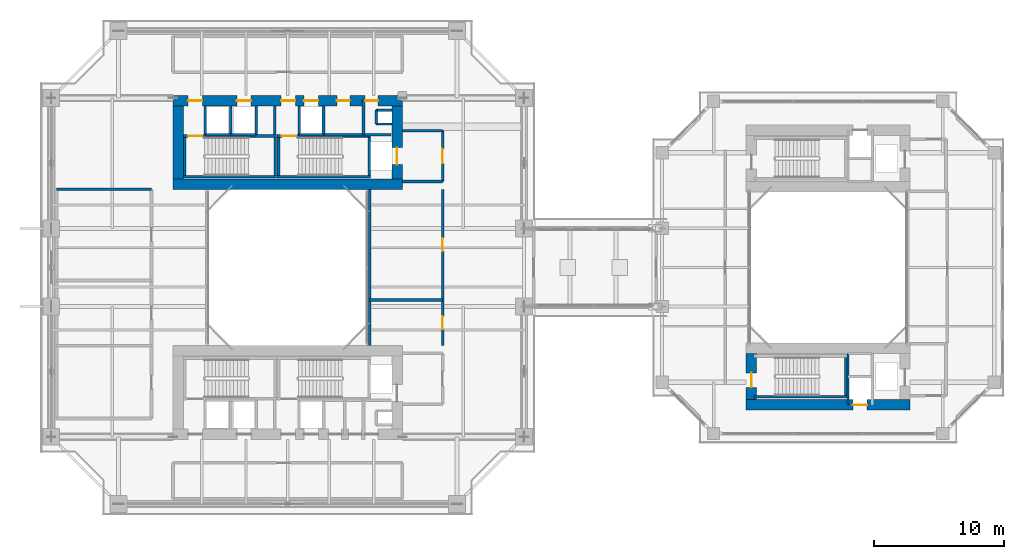
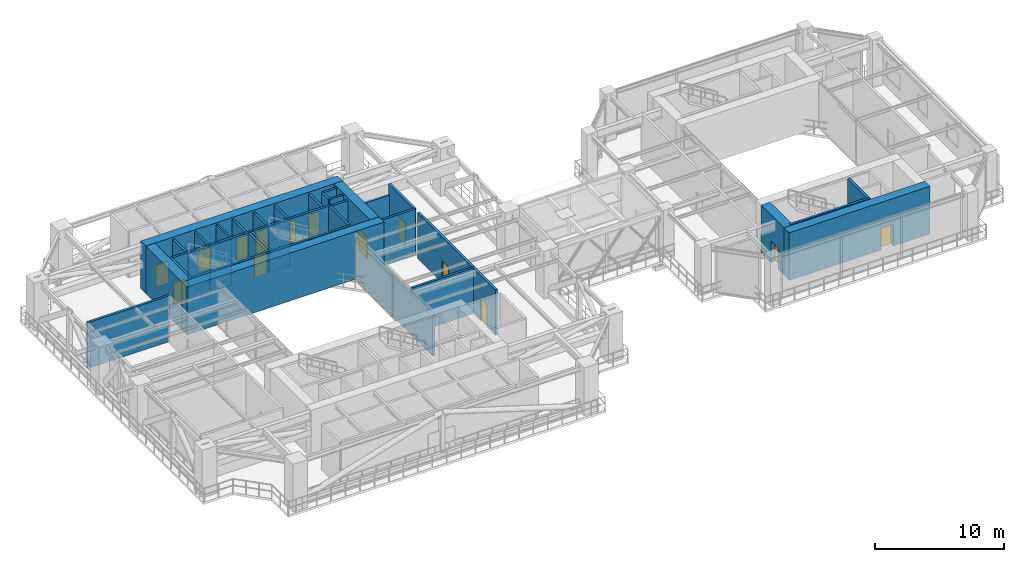
# One storey, part 18 of 26: 38 walls, 14 doors, 14 openings.
"""IFC4 building model written with IfcOpenShell, lengths in metres."""

from ifc_helpers import new_model, si_unit, direction, frame, frame_2d, origin, place, context, subcontext, project, spatial, rectangle, extrude, source, transform, mapped, material, layer, layer_set, type_object, element, fill, save


model = new_model("IFC4")

# Units and contexts
model_context = context("Model", 3, precision=1e-05, world=origin(), true_north=direction((0.0, 1.0)))
body_context = subcontext(model_context, "Body", "Model", "MODEL_VIEW")
ifc_project = project(units=[si_unit("LENGTHUNIT", "METRE"), si_unit("AREAUNIT", "SQUARE_METRE"), si_unit("VOLUMEUNIT", "CUBIC_METRE"), si_unit("PLANEANGLEUNIT", "RADIAN"), si_unit("MASSUNIT", "GRAM", prefix="KILO"), si_unit("THERMODYNAMICTEMPERATUREUNIT", "KELVIN"), si_unit("POWERUNIT", "WATT")], contexts=[model_context])

# Site, building, storey
site_placement = place(None, origin())
site = spatial("IfcSite", under=ifc_project, at=site_placement, CompositionType="ELEMENT")
building_placement = place(site_placement, origin())
building = spatial("IfcBuilding", under=site, at=building_placement, Name="Qiaomeng Ring Towers", CompositionType="ELEMENT")
storey_placement = place(building_placement, frame((0.0, 0.0, 45.75)))
storey = spatial("IfcBuildingStorey", under=building, at=storey_placement, Name="L12", CompositionType="ELEMENT", Elevation=45.75)

# Walls
ifc_material_1 = material(Name="Autoclaved aerated concrete block", Category="concrete")
ifc_layer_1 = layer(ifc_material_1, 0.199951171875, Name="Autoclaved aerated concrete block")
ifc_layer_set_1 = layer_set([ifc_layer_1], Name="Autoclaved aerated concrete block")
wall_type_1 = type_object("IfcWallType", Name="ARC-WL-PW1", PredefinedType="PARTITIONING", material=ifc_layer_set_1)
wall_1_placement = place(storey_placement, frame((27.800048828125, 29.60009765625, 0.0), z_axis=(0.0, 0.0, 1.0), x_axis=(1.0, 0.0, 0.0)))
element("IfcWall", 1, at=wall_1_placement, inside=storey, type_object=wall_type_1, Name="L12 Interior Wall PW1", PredefinedType="PARTITIONING", context=body_context, shape_type="SweptSolid", body=[
    extrude(rectangle(XDim=3.099853515625, YDim=0.199951171875, at=frame_2d((1.5498046875, 0.0))), origin(), (0.0, 0.0, 1.0), 4.320068359375),
])
wall_2_placement = place(storey_placement, frame((27.800048828125, 33.5, 0.0), z_axis=(0.0, 0.0, 1.0), x_axis=(1.0, 0.0, 0.0)))
element("IfcWall", 2, at=wall_2_placement, inside=storey, type_object=wall_type_1, Name="L12 Interior Wall PW1", PredefinedType="PARTITIONING", context=body_context, shape_type="SweptSolid", body=[
    extrude(rectangle(XDim=3.099853515625, YDim=0.199951171875, at=frame_2d((1.5498046875, 0.0))), origin(), (0.0, 0.0, 1.0), 3.31494140625),
])

# Wall, opening, door
wall_3_placement = place(storey_placement, frame((30.89990234375, 29.60009765625, 0.0), z_axis=(0.0, 0.0, 1.0), x_axis=(0.0, 1.0, 0.0)))
wall_3 = element("IfcWall", 3, at=wall_3_placement, inside=storey, type_object=wall_type_1, Name="L12 Interior Wall PW1", PredefinedType="PARTITIONING", context=body_context, shape_type="SweptSolid", body=[
    extrude(rectangle(XDim=3.89990234375, YDim=0.199951171875, at=frame_2d((1.949951171875, 0.0))), origin(), (0.0, 0.0, 1.0), 4.320068359375),
])
opening_1_placement = place(wall_3_placement, frame((1.39990234375, 0.0, 0.0)))
opening_1 = element("IfcOpeningElement", 4, at=opening_1_placement, cuts=wall_3, Name="Opening FD3", PredefinedType="OPENING", context=body_context, shape_type="SweptSolid", body=[
    extrude(rectangle(XDim=1.10009765625, YDim=2.050048828125, at=frame_2d((0.550048828125, 1.02490234375))), frame((0.0, 0.10986328125, 0.0), z_axis=(0.0, -1.0, 0.0), x_axis=(1.0, 0.0, 0.0)), (0.0, 0.0, 1.0), 0.219970703125),
])
ifc_material_2 = material(Name="Galvanised steel", Category="steel")
door_type_1 = type_object("IfcDoorType", Name="ARC-DR-FD3", OperationType="NOTDEFINED", PredefinedType="DOOR", material=ifc_material_2)
shared_shape_1 = source(origin(), body_context, "Body", "SweptSolid", [
    extrude(rectangle(XDim=1.10009765625, YDim=2.050048828125, at=frame_2d((0.550048828125, 1.02490234375))), frame((0.0, 0.02490234375, 0.0), z_axis=(0.0, -1.0, 0.0), x_axis=(1.0, 0.0, 0.0)), (0.0, 0.0, 1.0), 0.050048828125),
])
door_1_placement = place(opening_1_placement, origin())
door_1 = element("IfcDoor", 5, at=door_1_placement, inside=storey, type_object=door_type_1, Name="L12 North FF Lobby Door", OperationType="SINGLE_SWING_RIGHT", OverallHeight=2.050048828125, OverallWidth=1.10009765625, PredefinedType="DOOR", context=body_context, shape_type="MappedRepresentation", body=[
    mapped(shared_shape_1, transform((0.0, 0.0, 0.0), x_axis=(1.0, 0.0, 0.0), y_axis=(0.0, 1.0, 0.0), z_axis=(0.0, 0.0, 1.0), scale=1.0)),
])
fill(opening_1, door_1)

# Walls
for number, where, z_axis, x_axis, name in (
    (6, (12.679931640625, 33.18994140625, 0.0), (0.0, 0.0, 1.0), (0.0, 1.0, 0.0), "L12 Interior Wall PW1"),
    (7, (18.0, 33.18994140625, 0.0), (0.0, 0.0, 1.0), (0.0, 1.0, 0.0), "L12 Interior Wall PW1"),
    (8, (19.8798828125, 33.18994140625, 0.0), (0.0, 0.0, 1.0), (0.0, 1.0, 0.0), "L12 Interior Wall PW1"),
):
    element("IfcWall", number, at=place(storey_placement, frame(where, z_axis=z_axis, x_axis=x_axis)), inside=storey, type_object=wall_type_1, Name=name, PredefinedType="PARTITIONING", context=body_context, shape_type="SweptSolid", body=[
        extrude(rectangle(XDim=2.2099609375, YDim=0.199951171875, at=frame_2d((1.10498046875, 0.0))), origin(), (0.0, 0.0, 1.0), 4.320068359375),
    ])
wall_4_placement = place(storey_placement, frame((24.820068359375, 33.199951171875, 0.0), z_axis=(0.0, 0.0, 1.0), x_axis=(0.0, 1.0, 0.0)))
element("IfcWall", 9, at=wall_4_placement, inside=storey, type_object=wall_type_1, Name="L12 Interior Wall PW1", PredefinedType="PARTITIONING", context=body_context, shape_type="SweptSolid", body=[
    extrude(rectangle(XDim=2.650146484375, YDim=0.199951171875, at=frame_2d((1.3251953125, 0.0))), origin(), (0.0, 0.0, 1.0), 4.320068359375),
])
wall_5_placement = place(storey_placement, frame((21.75, 33.199951171875, 0.0), z_axis=(0.0, 0.0, 1.0), x_axis=(0.0, 1.0, 0.0)))
element("IfcWall", 10, at=wall_5_placement, inside=storey, type_object=wall_type_1, Name="L12 Interior Wall PW1", PredefinedType="PARTITIONING", context=body_context, shape_type="SweptSolid", body=[
    extrude(rectangle(XDim=2.199951171875, YDim=0.199951171875, at=frame_2d((1.10009765625, 0.0))), origin(), (0.0, 0.0, 1.0), 4.320068359375),
])
wall_6_placement = place(storey_placement, frame((21.75, 33.199951171875, 0.0), z_axis=(0.0, 0.0, 1.0), x_axis=(1.0, 0.0, 0.0)))
element("IfcWall", 11, at=wall_6_placement, inside=storey, type_object=wall_type_1, Name="L12 Interior Wall PW1", PredefinedType="PARTITIONING", context=body_context, shape_type="SweptSolid", body=[
    extrude(rectangle(XDim=5.169921875, YDim=0.199951171875, at=frame_2d((2.5849609375, 0.0))), origin(), (0.0, 0.0, 1.0), 4.320068359375),
])
wall_7_placement = place(storey_placement, frame((1.25, 29.0, 0.0), z_axis=(0.0, 0.0, 1.0), x_axis=(1.0, 0.0, 0.0)))
element("IfcWall", 12, at=wall_7_placement, inside=storey, type_object=wall_type_1, Name="L12 Interior Wall PW1", PredefinedType="PARTITIONING", context=body_context, shape_type="SweptSolid", body=[
    extrude(rectangle(XDim=7.300048828125, YDim=0.199951171875, at=frame_2d((3.64990234375, 0.0))), origin(), (0.0, 0.0, 1.0), 4.320068359375),
])
wall_8_placement = place(storey_placement, frame((25.300048828125, 17.0, 0.0), z_axis=(0.0, 0.0, 1.0), x_axis=(0.0, 1.0, 0.0)))
element("IfcWall", 13, at=wall_8_placement, inside=storey, type_object=wall_type_1, Name="L12 Interior Wall PW1", PredefinedType="PARTITIONING", context=body_context, shape_type="SweptSolid", body=[
    extrude(rectangle(XDim=12.0, YDim=0.199951171875, at=frame_2d((6.0, 0.0))), origin(), (0.0, 0.0, 1.0), 3.81494140625),
])
wall_9_placement = place(storey_placement, frame((25.300048828125, 20.5, 0.0), z_axis=(0.0, 0.0, 1.0), x_axis=(1.0, 0.0, 0.0)))
element("IfcWall", 14, at=wall_9_placement, inside=storey, type_object=wall_type_1, Name="L12 Interior Wall PW1", PredefinedType="PARTITIONING", context=body_context, shape_type="SweptSolid", body=[
    extrude(rectangle(XDim=5.599853515625, YDim=0.199951171875, at=frame_2d((2.7998046875, 0.0))), origin(), (0.0, 0.0, 1.0), 4.320068359375),
])

# Wall, openings, doors
wall_10_placement = place(storey_placement, frame((30.89990234375, 17.0, 0.0), z_axis=(0.0, 0.0, 1.0), x_axis=(0.0, 1.0, 0.0)))
wall_10 = element("IfcWall", 15, at=wall_10_placement, inside=storey, type_object=wall_type_1, Name="L12 Interior Wall PW1", PredefinedType="PARTITIONING", context=body_context, shape_type="SweptSolid", body=[
    extrude(rectangle(XDim=12.0, YDim=0.199951171875, at=frame_2d((6.0, 0.0))), origin(), (0.0, 0.0, 1.0), 4.320068359375),
])
opening_2_placement = place(wall_10_placement, frame((1.25, 0.0, 0.0)))
opening_2 = element("IfcOpeningElement", 16, at=opening_2_placement, cuts=wall_10, Name="Opening FD1", PredefinedType="OPENING", context=body_context, shape_type="SweptSolid", body=[
    extrude(rectangle(XDim=1.0, YDim=2.050048828125, at=frame_2d((0.5, 1.02490234375))), frame((0.0, 0.10986328125, 0.0), z_axis=(0.0, -1.0, 0.0), x_axis=(1.0, 0.0, 0.0)), (0.0, 0.0, 1.0), 0.219970703125),
])
opening_3_placement = place(wall_10_placement, frame((7.25, 0.0, 0.0)))
opening_3 = element("IfcOpeningElement", 17, at=opening_3_placement, cuts=wall_10, Name="Opening FD1", PredefinedType="OPENING", context=body_context, shape_type="SweptSolid", body=[
    extrude(rectangle(XDim=1.0, YDim=2.050048828125, at=frame_2d((0.5, 1.02490234375))), frame((0.0, 0.10986328125, 0.0), z_axis=(0.0, -1.0, 0.0), x_axis=(1.0, 0.0, 0.0)), (0.0, 0.0, 1.0), 0.219970703125),
])
door_type_2 = type_object("IfcDoorType", Name="ARC-DR-FD1", OperationType="NOTDEFINED", PredefinedType="DOOR", material=ifc_material_2)
shared_shape_2 = source(origin(), body_context, "Body", "SweptSolid", [
    extrude(rectangle(XDim=1.0, YDim=2.050048828125, at=frame_2d((0.5, 1.02490234375))), frame((0.0, 0.02490234375, 0.0), z_axis=(0.0, -1.0, 0.0), x_axis=(1.0, 0.0, 0.0)), (0.0, 0.0, 1.0), 0.050048828125),
])
door_2_placement = place(opening_2_placement, origin())
door_2 = element("IfcDoor", 18, at=door_2_placement, inside=storey, type_object=door_type_2, Name="L12 Door FD1", OperationType="SINGLE_SWING_RIGHT", OverallHeight=2.050048828125, OverallWidth=1.0, PredefinedType="DOOR", context=body_context, shape_type="MappedRepresentation", body=[
    mapped(shared_shape_2, transform((0.0, 0.0, 0.0), x_axis=(1.0, 0.0, 0.0), y_axis=(0.0, 1.0, 0.0), z_axis=(0.0, 0.0, 1.0), scale=1.0)),
])
fill(opening_2, door_2)
door_3_placement = place(opening_3_placement, origin())
door_3 = element("IfcDoor", 19, at=door_3_placement, inside=storey, type_object=door_type_2, Name="L12 Door FD1", OperationType="SINGLE_SWING_LEFT", OverallHeight=2.050048828125, OverallWidth=1.0, PredefinedType="DOOR", context=body_context, shape_type="MappedRepresentation", body=[
    mapped(shared_shape_2, transform((0.0, 0.0, 0.0), x_axis=(1.0, 0.0, 0.0), y_axis=(0.0, 1.0, 0.0), z_axis=(0.0, 0.0, 1.0), scale=1.0)),
])
fill(opening_3, door_3)

# Walls
ifc_material_3 = material(Name="Concrete C40", Category="concrete")
ifc_layer_2 = layer(ifc_material_3, 0.199951171875, Name="Concrete C40")
ifc_layer_set_2 = layer_set([ifc_layer_2], Name="Concrete C40")
wall_type_2 = type_object("IfcWallType", Name="STR-WL-STSHAFT", PredefinedType="SHEAR", material=ifc_layer_set_2)
wall_11_placement = place(storey_placement, frame((12.679931640625, 33.199951171875, 0.0), z_axis=(0.0, 0.0, 1.0), x_axis=(1.0, 0.0, 0.0)))
element("IfcWall", 20, at=wall_11_placement, inside=storey, type_object=wall_type_2, Name="L12 Lift LP5 Shaft Back Wall", PredefinedType="SHEAR", context=body_context, shape_type="SweptSolid", body=[
    extrude(rectangle(XDim=1.940185546875, YDim=0.179931640625, at=frame_2d((0.97021484375, 0.0))), origin(), (0.0, 0.0, 1.0), 4.320068359375),
])
wall_12_placement = place(storey_placement, frame((14.6201171875, 33.199951171875, 0.0), z_axis=(0.0, 0.0, 1.0), x_axis=(0.0, 1.0, 0.0)))
element("IfcWall", 21, at=wall_12_placement, inside=storey, type_object=wall_type_2, Name="L12 Lift LP5-LP3 Shaft Divider Wall", PredefinedType="SHEAR", context=body_context, shape_type="SweptSolid", body=[
    extrude(rectangle(XDim=2.199951171875, YDim=0.179931640625, at=frame_2d((1.10009765625, 0.0))), origin(), (0.0, 0.0, 1.0), 4.320068359375),
])
wall_13_placement = place(storey_placement, frame((25.800048828125, 34.02001953125, 0.0), z_axis=(0.0, 0.0, 1.0), x_axis=(0.0, 1.0, 0.0)))
element("IfcWall", 22, at=wall_13_placement, inside=storey, type_object=wall_type_2, Name="L12 Riser RSR1 West Shaft Wall N", PredefinedType="SHEAR", context=body_context, shape_type="SweptSolid", body=[
    extrude(rectangle(XDim=1.06005859375, YDim=0.179931640625, at=frame_2d((0.530029296875, 0.0))), origin(), (0.0, 0.0, 1.0), 4.320068359375),
])
for number, where, z_axis, x_axis, name in (
    (23, (25.800048828125, 35.080078125, 0.0), (0.0, 0.0, 1.0), (1.0, 0.0, 0.0), "L12 Riser RSR1 North Shaft Wall N"),
    (24, (25.800048828125, 34.02001953125, 0.0), (0.0, 0.0, 1.0), (1.0, 0.0, 0.0), "L12 Riser RSR1 South Shaft Wall N"),
):
    element("IfcWall", number, at=place(storey_placement, frame(where, z_axis=z_axis, x_axis=x_axis)), inside=storey, type_object=wall_type_2, Name=name, PredefinedType="SHEAR", context=body_context, shape_type="SweptSolid", body=[
        extrude(rectangle(XDim=1.199951171875, YDim=0.179931640625, at=frame_2d((0.60009765625, 0.0))), origin(), (0.0, 0.0, 1.0), 4.320068359375),
    ])
wall_14_placement = place(storey_placement, frame((14.6201171875, 33.199951171875, 0.0), z_axis=(0.0, 0.0, 1.0), x_axis=(1.0, 0.0, 0.0)))
element("IfcWall", 25, at=wall_14_placement, inside=storey, type_object=wall_type_2, Name="L12 Lift LP3 Shaft Back Wall", PredefinedType="SHEAR", context=body_context, shape_type="SweptSolid", body=[
    extrude(rectangle(XDim=1.9599609375, YDim=0.179931640625, at=frame_2d((0.97998046875, 0.0))), origin(), (0.0, 0.0, 1.0), 4.320068359375),
])
wall_15_placement = place(storey_placement, frame((16.580078125, 33.199951171875, 0.0), z_axis=(0.0, 0.0, 1.0), x_axis=(0.0, 1.0, 0.0)))
element("IfcWall", 26, at=wall_15_placement, inside=storey, type_object=wall_type_2, Name="L12 Lift LP3 East Shaft Wall", PredefinedType="SHEAR", context=body_context, shape_type="SweptSolid", body=[
    extrude(rectangle(XDim=2.199951171875, YDim=0.179931640625, at=frame_2d((1.10009765625, 0.0))), origin(), (0.0, 0.0, 1.0), 4.320068359375),
])
wall_16_placement = place(storey_placement, frame((19.8798828125, 33.199951171875, 0.0), z_axis=(0.0, 0.0, 1.0), x_axis=(1.0, 0.0, 0.0)))
element("IfcWall", 27, at=wall_16_placement, inside=storey, type_object=wall_type_2, Name="L12 Lift LP1 Shaft Back Wall", PredefinedType="SHEAR", context=body_context, shape_type="SweptSolid", body=[
    extrude(rectangle(XDim=1.8701171875, YDim=0.179931640625, at=frame_2d((0.93505859375, 0.0))), origin(), (0.0, 0.0, 1.0), 4.320068359375),
])
wall_17_placement = place(storey_placement, frame((62.02001953125, 12.449951171875, 0.0), z_axis=(0.0, 0.0, 1.0), x_axis=(0.0, 1.0, 0.0)))
element("IfcWall", 28, at=wall_17_placement, inside=storey, type_object=wall_type_2, Name="L12 Companion Lift Shaft West Wall S", PredefinedType="SHEAR", context=body_context, shape_type="SweptSolid", body=[
    extrude(rectangle(XDim=3.949951171875, YDim=0.179931640625, at=frame_2d((1.97509765625, 0.0))), origin(), (0.0, 0.0, 1.0), 4.320068359375),
])
wall_18_placement = place(storey_placement, frame((11.0, 29.949951171875, 0.0), z_axis=(0.0, 0.0, 1.0), x_axis=(1.0, 0.0, 0.0)))
element("IfcWall", 29, at=wall_18_placement, inside=storey, type_object=wall_type_2, Name="L12 Stair ST1 South Shaft Shear Wall", PredefinedType="SHEAR", context=body_context, shape_type="SweptSolid", body=[
    extrude(rectangle(XDim=7.14990234375, YDim=0.199951171875, at=frame_2d((3.574951171875, 0.0))), origin(), (0.0, 0.0, 1.0), 4.5),
])

# Wall, opening, door
wall_19_placement = place(storey_placement, frame((11.0, 33.090087890625, 0.0), z_axis=(0.0, 0.0, 1.0), x_axis=(1.0, 0.0, 0.0)))
wall_19 = element("IfcWall", 30, at=wall_19_placement, inside=storey, type_object=wall_type_2, Name="L12 Stair ST1 North Shaft Shear Wall", PredefinedType="SHEAR", context=body_context, shape_type="SweptSolid", body=[
    extrude(rectangle(XDim=7.14990234375, YDim=0.199951171875, at=frame_2d((3.574951171875, 0.0))), origin(), (0.0, 0.0, 1.0), 4.5),
])
opening_4_placement = place(wall_19_placement, frame((0.35009765625, 0.0, 0.0)))
opening_4 = element("IfcOpeningElement", 31, at=opening_4_placement, cuts=wall_19, Name="Opening FD3", PredefinedType="OPENING", context=body_context, shape_type="SweptSolid", body=[
    extrude(rectangle(XDim=1.10009765625, YDim=2.050048828125, at=frame_2d((0.550048828125, 1.02490234375))), frame((0.0, 0.10986328125, 0.0), z_axis=(0.0, -1.0, 0.0), x_axis=(1.0, 0.0, 0.0)), (0.0, 0.0, 1.0), 0.219970703125),
])
door_4_placement = place(opening_4_placement, origin())
door_4 = element("IfcDoor", 32, at=door_4_placement, inside=storey, type_object=door_type_1, Name="L12 Stair ST1 Exit Door", OperationType="SINGLE_SWING_LEFT", OverallHeight=2.050048828125, OverallWidth=1.10009765625, PredefinedType="DOOR", context=body_context, shape_type="MappedRepresentation", body=[
    mapped(shared_shape_1, transform((0.0, 0.0, 0.0), x_axis=(1.0, 0.0, 0.0), y_axis=(0.0, 1.0, 0.0), z_axis=(0.0, 0.0, 1.0), scale=1.0)),
])
fill(opening_4, door_4)

# Walls
for number, where, z_axis, x_axis, name in (
    (33, (11.10009765625, 30.050048828125, 0.0), (0.0, 0.0, 1.0), (0.0, 1.0, 0.0), "L12 Stair ST1 West Shaft Shear Wall"),
    (34, (18.050048828125, 30.050048828125, 0.0), (0.0, 0.0, 1.0), (0.0, 1.0, 0.0), "L12 Stair ST1 East Shaft Shear Wall"),
):
    element("IfcWall", number, at=place(storey_placement, frame(where, z_axis=z_axis, x_axis=x_axis)), inside=storey, type_object=wall_type_2, Name=name, PredefinedType="SHEAR", context=body_context, shape_type="SweptSolid", body=[
        extrude(rectangle(XDim=2.93994140625, YDim=0.199951171875, at=frame_2d((1.469970703125, 0.0))), origin(), (0.0, 0.0, 1.0), 4.5),
    ])
wall_20_placement = place(storey_placement, frame((18.199951171875, 29.949951171875, 0.0), z_axis=(0.0, 0.0, 1.0), x_axis=(1.0, 0.0, 0.0)))
element("IfcWall", 35, at=wall_20_placement, inside=storey, type_object=wall_type_2, Name="L12 Stair ST2 South Shaft Shear Wall", PredefinedType="SHEAR", context=body_context, shape_type="SweptSolid", body=[
    extrude(rectangle(XDim=7.150146484375, YDim=0.199951171875, at=frame_2d((3.5751953125, 0.0))), origin(), (0.0, 0.0, 1.0), 4.5),
])

# Wall, opening, door
wall_21_placement = place(storey_placement, frame((18.199951171875, 33.090087890625, 0.0), z_axis=(0.0, 0.0, 1.0), x_axis=(1.0, 0.0, 0.0)))
wall_21 = element("IfcWall", 36, at=wall_21_placement, inside=storey, type_object=wall_type_2, Name="L12 Stair ST2 North Shaft Shear Wall", PredefinedType="SHEAR", context=body_context, shape_type="SweptSolid", body=[
    extrude(rectangle(XDim=7.150146484375, YDim=0.199951171875, at=frame_2d((3.5751953125, 0.0))), origin(), (0.0, 0.0, 1.0), 4.5),
])
opening_5_placement = place(wall_21_placement, frame((0.35009765625, 0.0, 0.0)))
opening_5 = element("IfcOpeningElement", 37, at=opening_5_placement, cuts=wall_21, Name="Opening FD3", PredefinedType="OPENING", context=body_context, shape_type="SweptSolid", body=[
    extrude(rectangle(XDim=1.10009765625, YDim=2.050048828125, at=frame_2d((0.550048828125, 1.02490234375))), frame((0.0, 0.10986328125, 0.0), z_axis=(0.0, -1.0, 0.0), x_axis=(1.0, 0.0, 0.0)), (0.0, 0.0, 1.0), 0.219970703125),
])
door_5_placement = place(opening_5_placement, origin())
door_5 = element("IfcDoor", 38, at=door_5_placement, inside=storey, type_object=door_type_1, Name="L12 Stair ST2 Exit Door", OperationType="SINGLE_SWING_LEFT", OverallHeight=2.050048828125, OverallWidth=1.10009765625, PredefinedType="DOOR", context=body_context, shape_type="MappedRepresentation", body=[
    mapped(shared_shape_1, transform((0.0, 0.0, 0.0), x_axis=(1.0, 0.0, 0.0), y_axis=(0.0, 1.0, 0.0), z_axis=(0.0, 0.0, 1.0), scale=1.0)),
])
fill(opening_5, door_5)

# Walls
for number, where, z_axis, x_axis, name in (
    (39, (18.300048828125, 30.050048828125, 0.0), (0.0, 0.0, 1.0), (0.0, 1.0, 0.0), "L12 Stair ST2 West Shaft Shear Wall"),
    (40, (25.25, 30.050048828125, 0.0), (0.0, 0.0, 1.0), (0.0, 1.0, 0.0), "L12 Stair ST2 East Shaft Shear Wall"),
):
    element("IfcWall", number, at=place(storey_placement, frame(where, z_axis=z_axis, x_axis=x_axis)), inside=storey, type_object=wall_type_2, Name=name, PredefinedType="SHEAR", context=body_context, shape_type="SweptSolid", body=[
        extrude(rectangle(XDim=2.93994140625, YDim=0.199951171875, at=frame_2d((1.469970703125, 0.0))), origin(), (0.0, 0.0, 1.0), 4.5),
    ])
wall_22_placement = place(storey_placement, frame((54.800048828125, 13.06005859375, 0.0), z_axis=(0.0, 0.0, 1.0), x_axis=(1.0, 0.0, 0.0)))
element("IfcWall", 41, at=wall_22_placement, inside=storey, type_object=wall_type_2, Name="L12 Stair ST6 South Shaft Shear Wall", PredefinedType="SHEAR", context=body_context, shape_type="SweptSolid", body=[
    extrude(rectangle(XDim=7.14990234375, YDim=0.199951171875, at=frame_2d((3.574951171875, 0.0))), origin(), (0.0, 0.0, 1.0), 4.5),
])
wall_23_placement = place(storey_placement, frame((61.85009765625, 13.159912109375, 0.0), z_axis=(0.0, 0.0, 1.0), x_axis=(0.0, 1.0, 0.0)))
element("IfcWall", 42, at=wall_23_placement, inside=storey, type_object=wall_type_2, Name="L12 Stair ST6 East Shaft Shear Wall", PredefinedType="SHEAR", context=body_context, shape_type="SweptSolid", body=[
    extrude(rectangle(XDim=2.940185546875, YDim=0.199951171875, at=frame_2d((1.47021484375, 0.0))), origin(), (0.0, 0.0, 1.0), 4.5),
])
ifc_material_4 = material(Name="Concrete C60", Category="concrete")
ifc_layer_3 = layer(ifc_material_4, 0.800048828125, Name="Concrete C60")
ifc_layer_set_3 = layer_set([ifc_layer_3], Name="Concrete C60")
wall_type_3 = type_object("IfcWallType", Name="STR-WL-SW1", PredefinedType="SHEAR", material=ifc_layer_set_3)
wall_24_placement = place(storey_placement, frame((10.199951171875, 29.39990234375, 0.0), z_axis=(0.0, 0.0, 1.0), x_axis=(1.0, 0.0, 0.0)))
element("IfcWall", 43, at=wall_24_placement, inside=storey, type_object=wall_type_3, Name="L12 T1NC south core shear wall", PredefinedType="SHEAR", context=body_context, shape_type="SweptSolid", body=[
    extrude(rectangle(XDim=17.60009765625, YDim=0.800048828125, at=frame_2d((8.800048828125, 0.0))), origin(), (0.0, 0.0, 1.0), 4.5),
])

# Wall, openings, doors
wall_25_placement = place(storey_placement, frame((10.199951171875, 35.800048828125, 0.0), z_axis=(0.0, 0.0, 1.0), x_axis=(1.0, 0.0, 0.0)))
wall_25 = element("IfcWall", 44, at=wall_25_placement, inside=storey, type_object=wall_type_3, Name="L12 T1NC north core shear wall", PredefinedType="SHEAR", context=body_context, shape_type="SweptSolid", body=[
    extrude(rectangle(XDim=17.60009765625, YDim=0.800048828125, at=frame_2d((8.800048828125, 0.0))), origin(), (0.0, 0.0, 1.0), 4.5),
])
opening_6_placement = place(wall_25_placement, frame((1.14990234375, 0.0, 0.0)))
opening_6 = element("IfcOpeningElement", 45, at=opening_6_placement, cuts=wall_25, Name="Opening FD3", PredefinedType="OPENING", context=body_context, shape_type="SweptSolid", body=[
    extrude(rectangle(XDim=1.10009765625, YDim=2.050048828125, at=frame_2d((0.550048828125, 1.02490234375))), frame((0.0, 0.409912109375, 0.0), z_axis=(0.0, -1.0, 0.0), x_axis=(1.0, 0.0, 0.0)), (0.0, 0.0, 1.0), 0.820068359375),
])
opening_7_placement = place(wall_25_placement, frame((8.300048828125, 0.0, 0.0)))
opening_7 = element("IfcOpeningElement", 46, at=opening_7_placement, cuts=wall_25, Name="Opening FD3", PredefinedType="OPENING", context=body_context, shape_type="SweptSolid", body=[
    extrude(rectangle(XDim=1.10009765625, YDim=2.050048828125, at=frame_2d((0.550048828125, 1.02490234375))), frame((0.0, 0.409912109375, 0.0), z_axis=(0.0, -1.0, 0.0), x_axis=(1.0, 0.0, 0.0)), (0.0, 0.0, 1.0), 0.820068359375),
])
opening_8_placement = place(wall_25_placement, frame((10.050048828125, 0.0, 0.0)))
opening_8 = element("IfcOpeningElement", 47, at=opening_8_placement, cuts=wall_25, Name="Opening LD1", PredefinedType="OPENING", context=body_context, shape_type="SweptSolid", body=[
    extrude(rectangle(XDim=1.10009765625, YDim=2.050048828125, at=frame_2d((0.550048828125, 1.02490234375))), frame((0.0, 0.409912109375, 0.0), z_axis=(0.0, -1.0, 0.0), x_axis=(1.0, 0.0, 0.0)), (0.0, 0.0, 1.0), 0.820068359375),
])
opening_9_placement = place(wall_25_placement, frame((4.89990234375, 0.0, 0.0)))
opening_9 = element("IfcOpeningElement", 48, at=opening_9_placement, cuts=wall_25, Name="Opening LD1", PredefinedType="OPENING", context=body_context, shape_type="SweptSolid", body=[
    extrude(rectangle(XDim=1.10009765625, YDim=2.050048828125, at=frame_2d((0.550048828125, 1.02490234375))), frame((0.0, 0.409912109375, 0.0), z_axis=(0.0, -1.0, 0.0), x_axis=(1.0, 0.0, 0.0)), (0.0, 0.0, 1.0), 0.820068359375),
])
opening_10_placement = place(wall_25_placement, frame((14.739990234375, 0.0, 0.0)))
opening_10 = element("IfcOpeningElement", 49, at=opening_10_placement, cuts=wall_25, Name="Opening FD1", PredefinedType="OPENING", context=body_context, shape_type="SweptSolid", body=[
    extrude(rectangle(XDim=1.0, YDim=2.050048828125, at=frame_2d((0.5, 1.02490234375))), frame((0.0, 0.409912109375, 0.0), z_axis=(0.0, -1.0, 0.0), x_axis=(1.0, 0.0, 0.0)), (0.0, 0.0, 1.0), 0.820068359375),
])
opening_11_placement = place(wall_25_placement, frame((12.5849609375, 0.0, 0.0)))
opening_11 = element("IfcOpeningElement", 50, at=opening_11_placement, cuts=wall_25, Name="Opening FD1", PredefinedType="OPENING", context=body_context, shape_type="SweptSolid", body=[
    extrude(rectangle(XDim=1.0, YDim=2.050048828125, at=frame_2d((0.5, 1.02490234375))), frame((0.0, 0.409912109375, 0.0), z_axis=(0.0, -1.0, 0.0), x_axis=(1.0, 0.0, 0.0)), (0.0, 0.0, 1.0), 0.820068359375),
])
door_6_placement = place(opening_6_placement, origin())
door_6 = element("IfcDoor", 51, at=door_6_placement, inside=storey, type_object=door_type_1, Name="L12 Stair ST1 Lobby Door", OperationType="SINGLE_SWING_RIGHT", OverallHeight=2.050048828125, OverallWidth=1.10009765625, PredefinedType="DOOR", context=body_context, shape_type="MappedRepresentation", body=[
    mapped(shared_shape_1, transform((0.0, 0.0, 0.0), x_axis=(1.0, 0.0, 0.0), y_axis=(0.0, 1.0, 0.0), z_axis=(0.0, 0.0, 1.0), scale=1.0)),
])
fill(opening_6, door_6)
door_7_placement = place(opening_7_placement, origin())
door_7 = element("IfcDoor", 52, at=door_7_placement, inside=storey, type_object=door_type_1, Name="L12 Stair ST2 Lobby Door", OperationType="SINGLE_SWING_RIGHT", OverallHeight=2.050048828125, OverallWidth=1.10009765625, PredefinedType="DOOR", context=body_context, shape_type="MappedRepresentation", body=[
    mapped(shared_shape_1, transform((0.0, 0.0, 0.0), x_axis=(1.0, 0.0, 0.0), y_axis=(0.0, 1.0, 0.0), z_axis=(0.0, 0.0, 1.0), scale=1.0)),
])
fill(opening_7, door_7)
ifc_material_5 = material(Name="Stainless steel 316", Category="steel")
door_type_3 = type_object("IfcDoorType", Name="ARC-DR-LD1", OperationType="NOTDEFINED", PredefinedType="DOOR", material=ifc_material_5)
door_8_placement = place(opening_8_placement, origin())
door_8 = element("IfcDoor", 53, at=door_8_placement, inside=storey, type_object=door_type_3, Name="L12 Low-Zone Lift LP1 Landing Door", OperationType="SLIDING_TO_LEFT", OverallHeight=2.050048828125, OverallWidth=1.10009765625, PredefinedType="DOOR", context=body_context, shape_type="MappedRepresentation", body=[
    mapped(shared_shape_1, transform((0.0, 0.0, 0.0), x_axis=(1.0, 0.0, 0.0), y_axis=(0.0, 1.0, 0.0), z_axis=(0.0, 0.0, 1.0), scale=1.0)),
])
fill(opening_8, door_8)
door_9_placement = place(opening_9_placement, origin())
door_9 = element("IfcDoor", 54, at=door_9_placement, inside=storey, type_object=door_type_3, Name="L12 Mid-Zone Lift LP3 Landing Door", OperationType="SLIDING_TO_LEFT", OverallHeight=2.050048828125, OverallWidth=1.10009765625, PredefinedType="DOOR", context=body_context, shape_type="MappedRepresentation", body=[
    mapped(shared_shape_1, transform((0.0, 0.0, 0.0), x_axis=(1.0, 0.0, 0.0), y_axis=(0.0, 1.0, 0.0), z_axis=(0.0, 0.0, 1.0), scale=1.0)),
])
fill(opening_9, door_9)
door_10_placement = place(opening_10_placement, origin())
door_10 = element("IfcDoor", 55, at=door_10_placement, inside=storey, type_object=door_type_2, Name="L12 North Electrical Riser Door", OperationType="SINGLE_SWING_RIGHT", OverallHeight=2.050048828125, OverallWidth=1.0, PredefinedType="DOOR", context=body_context, shape_type="MappedRepresentation", body=[
    mapped(shared_shape_2, transform((0.0, 0.0, 0.0), x_axis=(1.0, 0.0, 0.0), y_axis=(0.0, 1.0, 0.0), z_axis=(0.0, 0.0, 1.0), scale=1.0)),
])
fill(opening_10, door_10)
door_11_placement = place(opening_11_placement, origin())
door_11 = element("IfcDoor", 56, at=door_11_placement, inside=storey, type_object=door_type_2, Name="L12 Core AHU Plant Room Door", OperationType="SINGLE_SWING_RIGHT", OverallHeight=2.050048828125, OverallWidth=1.0, PredefinedType="DOOR", context=body_context, shape_type="MappedRepresentation", body=[
    mapped(shared_shape_2, transform((0.0, 0.0, 0.0), x_axis=(1.0, 0.0, 0.0), y_axis=(0.0, 1.0, 0.0), z_axis=(0.0, 0.0, 1.0), scale=1.0)),
])
fill(opening_11, door_11)

# Wall
wall_26_placement = place(storey_placement, frame((10.60009765625, 29.800048828125, 0.0), z_axis=(0.0, 0.0, 1.0), x_axis=(0.0, 1.0, 0.0)))
element("IfcWall", 57, at=wall_26_placement, inside=storey, type_object=wall_type_3, Name="L12 T1NC west core shear wall", PredefinedType="SHEAR", context=body_context, shape_type="SweptSolid", body=[
    extrude(rectangle(XDim=5.599853515625, YDim=0.800048828125, at=frame_2d((2.7998046875, 0.0))), origin(), (0.0, 0.0, 1.0), 4.5),
])

# Wall, opening, door
wall_27_placement = place(storey_placement, frame((27.39990234375, 29.800048828125, 0.0), z_axis=(0.0, 0.0, 1.0), x_axis=(0.0, 1.0, 0.0)))
wall_27 = element("IfcWall", 58, at=wall_27_placement, inside=storey, type_object=wall_type_3, Name="L12 T1NC east core shear wall", PredefinedType="SHEAR", context=body_context, shape_type="SweptSolid", body=[
    extrude(rectangle(XDim=5.599853515625, YDim=0.800048828125, at=frame_2d((2.7998046875, 0.0))), origin(), (0.0, 0.0, 1.0), 4.5),
])
opening_12_placement = place(wall_27_placement, frame((1.10009765625, 0.0, 0.0)))
opening_12 = element("IfcOpeningElement", 59, at=opening_12_placement, cuts=wall_27, Name="Opening LD2", PredefinedType="OPENING", context=body_context, shape_type="SweptSolid", body=[
    extrude(rectangle(XDim=1.300048828125, YDim=2.050048828125, at=frame_2d((0.64990234375, 1.02490234375))), frame((0.0, 0.409912109375, 0.0), z_axis=(0.0, -1.0, 0.0), x_axis=(1.0, 0.0, 0.0)), (0.0, 0.0, 1.0), 0.820068359375),
])
door_type_4 = type_object("IfcDoorType", Name="ARC-DR-LD2", OperationType="NOTDEFINED", PredefinedType="DOOR", material=ifc_material_5)
shared_shape_3 = source(origin(), body_context, "Body", "SweptSolid", [
    extrude(rectangle(XDim=1.300048828125, YDim=2.050048828125, at=frame_2d((0.64990234375, 1.02490234375))), frame((0.0, 0.02490234375, 0.0), z_axis=(0.0, -1.0, 0.0), x_axis=(1.0, 0.0, 0.0)), (0.0, 0.0, 1.0), 0.050048828125),
])
door_12_placement = place(opening_12_placement, origin())
door_12 = element("IfcDoor", 60, at=door_12_placement, inside=storey, type_object=door_type_4, Name="L12 Firefighting Lift FL1 Landing Door", OperationType="SLIDING_TO_LEFT", OverallHeight=2.050048828125, OverallWidth=1.300048828125, PredefinedType="DOOR", context=body_context, shape_type="MappedRepresentation", body=[
    mapped(shared_shape_3, transform((0.0, 0.0, 0.0), x_axis=(1.0, 0.0, 0.0), y_axis=(0.0, 1.0, 0.0), z_axis=(0.0, 0.0, 1.0), scale=1.0)),
])
fill(opening_12, door_12)

wall_28_placement = place(storey_placement, frame((54.199951171875, 12.449951171875, 0.0), z_axis=(0.0, 0.0, 1.0), x_axis=(1.0, 0.0, 0.0)))
wall_28 = element("IfcWall", 61, at=wall_28_placement, inside=storey, type_object=wall_type_3, Name="L12 T2SC south core shear wall", PredefinedType="SHEAR", context=body_context, shape_type="SweptSolid", body=[
    extrude(rectangle(XDim=12.60009765625, YDim=0.800048828125, at=frame_2d((6.300048828125, 0.0))), origin(), (0.0, 0.0, 1.0), 4.5),
])
opening_13_placement = place(wall_28_placement, frame((8.199951171875, 0.0, 0.0)))
opening_13 = element("IfcOpeningElement", 62, at=opening_13_placement, cuts=wall_28, Name="Opening LD1", PredefinedType="OPENING", context=body_context, shape_type="SweptSolid", body=[
    extrude(rectangle(XDim=1.10009765625, YDim=2.050048828125, at=frame_2d((0.550048828125, 1.02490234375))), frame((0.0, 0.409912109375, 0.0), z_axis=(0.0, -1.0, 0.0), x_axis=(1.0, 0.0, 0.0)), (0.0, 0.0, 1.0), 0.820068359375),
])
door_13_placement = place(opening_13_placement, origin())
door_13 = element("IfcDoor", 63, at=door_13_placement, inside=storey, type_object=door_type_3, Name="L12 Companion Lift LP8 Landing Door", OperationType="SLIDING_TO_RIGHT", OverallHeight=2.050048828125, OverallWidth=1.10009765625, PredefinedType="DOOR", context=body_context, shape_type="MappedRepresentation", body=[
    mapped(shared_shape_1, transform((0.0, 0.0, 0.0), x_axis=(1.0, 0.0, 0.0), y_axis=(0.0, 1.0, 0.0), z_axis=(0.0, 0.0, 1.0), scale=1.0)),
])
fill(opening_13, door_13)

wall_29_placement = place(storey_placement, frame((54.60009765625, 12.85009765625, 0.0), z_axis=(0.0, 0.0, 1.0), x_axis=(0.0, 1.0, 0.0)))
wall_29 = element("IfcWall", 64, at=wall_29_placement, inside=storey, type_object=wall_type_3, Name="L12 T2SC west core shear wall", PredefinedType="SHEAR", context=body_context, shape_type="SweptSolid", body=[
    extrude(rectangle(XDim=3.5498046875, YDim=0.800048828125, at=frame_2d((1.77490234375, 0.0))), origin(), (0.0, 0.0, 1.0), 4.5),
])
opening_14_placement = place(wall_29_placement, frame((0.949951171875, 0.0, 0.0)))
opening_14 = element("IfcOpeningElement", 65, at=opening_14_placement, cuts=wall_29, Name="Opening FD3", PredefinedType="OPENING", context=body_context, shape_type="SweptSolid", body=[
    extrude(rectangle(XDim=1.10009765625, YDim=2.050048828125, at=frame_2d((0.550048828125, 1.02490234375))), frame((0.0, 0.409912109375, 0.0), z_axis=(0.0, -1.0, 0.0), x_axis=(1.0, 0.0, 0.0)), (0.0, 0.0, 1.0), 0.820068359375),
])
door_14_placement = place(opening_14_placement, origin())
door_14 = element("IfcDoor", 66, at=door_14_placement, inside=storey, type_object=door_type_1, Name="L12 Stair ST6 Exit Door", OperationType="SINGLE_SWING_LEFT", OverallHeight=2.050048828125, OverallWidth=1.10009765625, PredefinedType="DOOR", context=body_context, shape_type="MappedRepresentation", body=[
    mapped(shared_shape_1, transform((0.0, 0.0, 0.0), x_axis=(1.0, 0.0, 0.0), y_axis=(0.0, 1.0, 0.0), z_axis=(0.0, 0.0, 1.0), scale=1.0)),
])
fill(opening_14, door_14)

save(model, "model.ifc")
